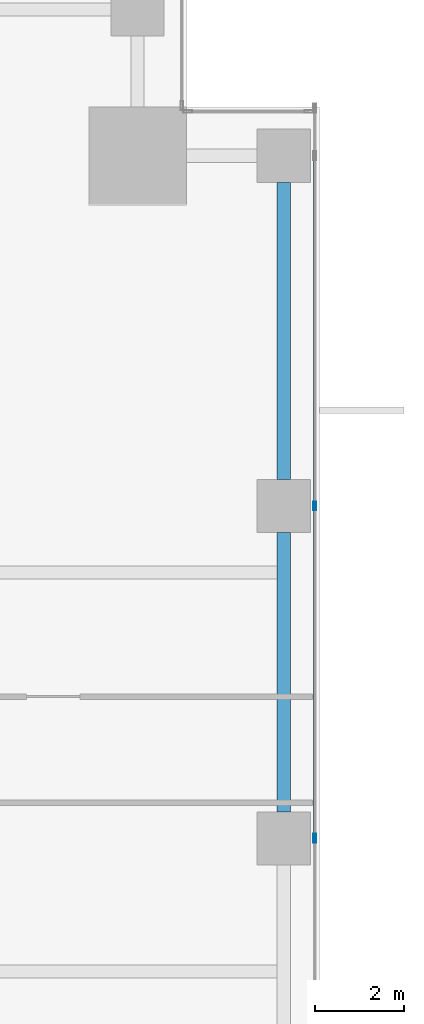
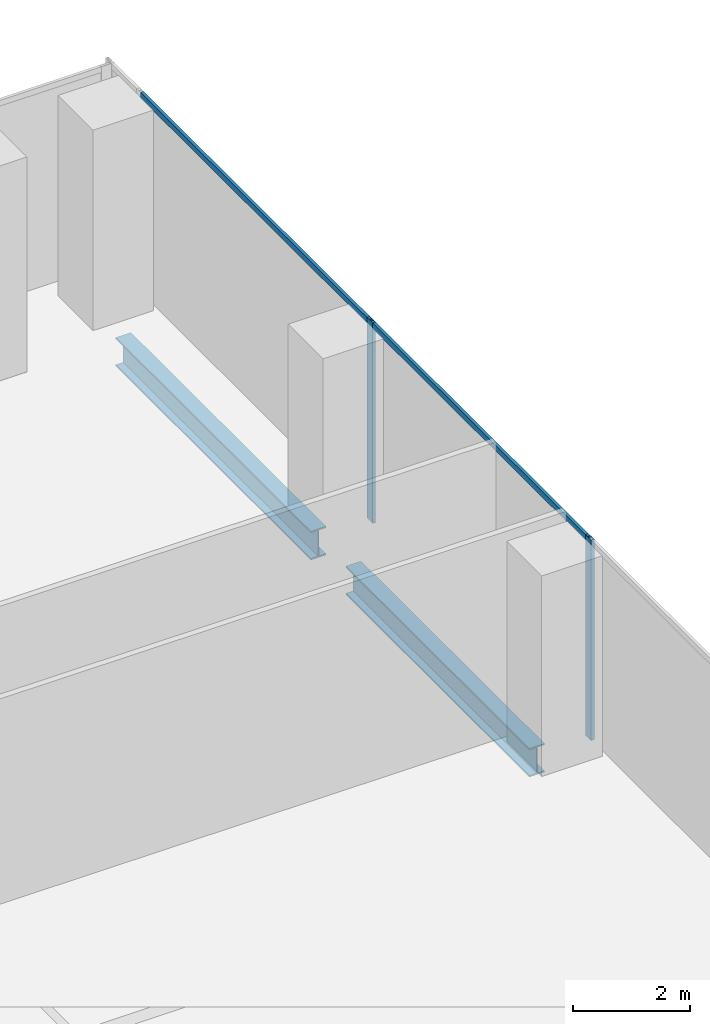
# One storey, part 18 of 33: 4 members, 2 beams, 1 element without a shape of its own.
"""IFC4 building model written with IfcOpenShell, lengths in metres."""

from ifc_helpers import new_model, si_unit, direction, frame, origin, origin_2d, place, context, subcontext, project, spatial, hollow_rectangle, i_section, extrude, source, transform, mapped, material, material_profile, profile_set, type_object, element, aggregate, save


model = new_model("IFC4")

# Units and contexts
model_context = context("Model", 3, precision=1e-05, world=origin(), true_north=direction((0.0, 1.0)))
body_context = subcontext(model_context, "Body", "Model", "MODEL_VIEW")
ifc_project = project(units=[si_unit("LENGTHUNIT", "METRE"), si_unit("AREAUNIT", "SQUARE_METRE"), si_unit("VOLUMEUNIT", "CUBIC_METRE"), si_unit("PLANEANGLEUNIT", "RADIAN"), si_unit("MASSUNIT", "GRAM", prefix="KILO")], contexts=[model_context])

# Site, building, storey
site_placement = place(None, origin())
site = spatial("IfcSite", under=ifc_project, at=site_placement, CompositionType="ELEMENT")
building_placement = place(site_placement, origin())
building = spatial("IfcBuilding", under=site, at=building_placement, Name="Khomas Fold Tower", CompositionType="ELEMENT")
storey_placement = place(building_placement, frame((0.0, 0.0, 55.5)))
storey = spatial("IfcBuildingStorey", under=building, at=storey_placement, Name="L11", CompositionType="ELEMENT", Elevation=55.5)

# Beams
ifc_material_1 = material(Name="Steel S355", Category="steel")
ifc_material_profile_1 = material_profile(ifc_material_1, i_section(OverallWidth=0.300048828125, OverallDepth=0.60009765625, WebThickness=0.015380859375, FlangeThickness=0.030029296875, at=origin_2d()), Name="HE 600 B")
ifc_profile_set_1 = profile_set([ifc_material_profile_1], Name="Steel S355")
beam_type = type_object("IfcBeamType", Name="HE 600 B spandrel SB1", PredefinedType="SPANDREL", material=ifc_profile_set_1)
shared_shape_1 = source(origin(), body_context, "Body", "SweptSolid", [
    extrude(i_section(OverallWidth=0.300048828125, OverallDepth=0.60009765625, WebThickness=0.015380859375, FlangeThickness=0.030029296875, at=origin_2d()), origin(), (0.0, 0.0, 1.0), 6.699951171875),
])
beam_1_placement = place(storey_placement, frame((53.199951171875, 42.60009765625, -0.60009765625), z_axis=(0.0, 1.0, 0.0), x_axis=(-1.0, 0.0, 0.0)))
element("IfcBeam", 1, at=beam_1_placement, inside=storey, type_object=beam_type, Name="SB1", PredefinedType="SPANDREL", context=body_context, shape_type="MappedRepresentation", body=[
    mapped(shared_shape_1, transform((0.0, 0.0, 0.0))),
])
shared_shape_2 = source(origin(), body_context, "Body", "SweptSolid", [
    extrude(i_section(OverallWidth=0.300048828125, OverallDepth=0.60009765625, WebThickness=0.015380859375, FlangeThickness=0.030029296875, at=origin_2d()), origin(), (0.0, 0.0, 1.0), 6.2998046875),
])
beam_2_placement = place(storey_placement, frame((53.199951171875, 35.10009765625, -0.60009765625), z_axis=(0.0, 1.0, 0.0), x_axis=(-1.0, 0.0, 0.0)))
element("IfcBeam", 2, at=beam_2_placement, inside=storey, type_object=beam_type, Name="SB1", PredefinedType="SPANDREL", context=body_context, shape_type="MappedRepresentation", body=[
    mapped(shared_shape_2, transform((0.0, 0.0, 0.0))),
])

# Curtain wall, members
ifc_material_2 = material(Name="Aluminium framed double glazing", Category="aluminium")
curtain_wall_type = type_object("IfcCurtainWallType", Name="SK-Unitised clear-glass wall, growing floors CW1", PredefinedType="NOTDEFINED", material=ifc_material_2)
curtain_wall_placement = place(storey_placement, origin())
curtain_wall = element("IfcCurtainWall", 3, at=curtain_wall_placement, inside=storey, type_object=curtain_wall_type, Name="CW1 run L11 03-0", PredefinedType="NOTDEFINED")
ifc_material_3 = material(Name="Aluminium", Category="aluminium")
ifc_material_profile_2 = material_profile(ifc_material_3, hollow_rectangle(XDim=0.06005859375, YDim=0.1201171875, WallThickness=0.00390625, at=origin_2d()), Name="SK-Unitised clear-glass wall, growing floors transom CW1-T")
ifc_profile_set_2 = profile_set([ifc_material_profile_2], Name="Aluminium")
member_type_1 = type_object("IfcMemberType", Name="SK-Unitised clear-glass wall, growing floors transom CW1-T", PredefinedType="USERDEFINED", material=ifc_profile_set_2)
shared_shape_3 = source(origin(), body_context, "Body", "SweptSolid", [
    extrude(hollow_rectangle(XDim=0.06005859375, YDim=0.1201171875, WallThickness=0.00390625, at=origin_2d()), origin(), (0.0, 0.0, 1.0), 7.840087890625),
])
member_1_placement = place(storey_placement, frame((53.89990234375, 42.030029296875, 4.139892578125), z_axis=(0.0, 1.0, 0.0), x_axis=(-1.0, 0.0, 0.0)))
member_1 = element("IfcMember", 4, at=member_1_placement, type_object=member_type_1, Name="CW1 transom 7", ObjectType="TRANSOM", PredefinedType="USERDEFINED", context=body_context, shape_type="MappedRepresentation", body=[
    mapped(shared_shape_3, transform((0.0, 0.0, 0.0))),
])
shared_shape_4 = source(origin(), body_context, "Body", "SweptSolid", [
    extrude(hollow_rectangle(XDim=0.06005859375, YDim=0.1201171875, WallThickness=0.00390625, at=origin_2d()), origin(), (0.0, 0.0, 1.0), 7.43994140625),
])
member_2_placement = place(storey_placement, frame((53.89990234375, 34.530029296875, 4.139892578125), z_axis=(0.0, 1.0, 0.0), x_axis=(-1.0, 0.0, 0.0)))
member_2 = element("IfcMember", 5, at=member_2_placement, type_object=member_type_1, Name="CW1 transom 6", ObjectType="TRANSOM", PredefinedType="USERDEFINED", context=body_context, shape_type="MappedRepresentation", body=[
    mapped(shared_shape_4, transform((0.0, 0.0, 0.0))),
])
ifc_material_4 = material(Name="Aluminium", Category="aluminium")
ifc_material_profile_3 = material_profile(ifc_material_4, hollow_rectangle(XDim=0.06005859375, YDim=0.199951171875, WallThickness=0.00390625, at=origin_2d()), Name="SK-Unitised clear-glass wall, growing floors mullion CW1-M")
ifc_profile_set_3 = profile_set([ifc_material_profile_3], Name="Aluminium")
member_type_2 = type_object("IfcMemberType", Name="SK-Unitised clear-glass wall, growing floors mullion CW1-M", PredefinedType="MULLION", material=ifc_profile_set_3)
shared_shape_5 = source(origin(), body_context, "Body", "SweptSolid", [
    extrude(hollow_rectangle(XDim=0.06005859375, YDim=0.199951171875, WallThickness=0.00390625, at=origin_2d()), origin(), (0.0, 0.0, 1.0), 4.199951171875),
])
member_3_placement = place(storey_placement, frame((53.89990234375, 34.5, 0.0), z_axis=(0.0, 0.0, 1.0), x_axis=(-1.0, 0.0, 0.0)))
member_3 = element("IfcMember", 6, at=member_3_placement, type_object=member_type_2, Name="CW1 mullion 6", PredefinedType="MULLION", context=body_context, shape_type="MappedRepresentation", body=[
    mapped(shared_shape_5, transform((0.0, 0.0, 0.0))),
])
member_4_placement = place(storey_placement, frame((53.89990234375, 42.0, 0.0), z_axis=(0.0, 0.0, 1.0), x_axis=(-1.0, 0.0, 0.0)))
member_4 = element("IfcMember", 7, at=member_4_placement, type_object=member_type_2, Name="CW1 mullion 7", PredefinedType="MULLION", context=body_context, shape_type="MappedRepresentation", body=[
    mapped(shared_shape_5, transform((0.0, 0.0, 0.0))),
])
aggregate(curtain_wall, [member_3, member_4, member_2, member_1])

save(model, "model.ifc")
